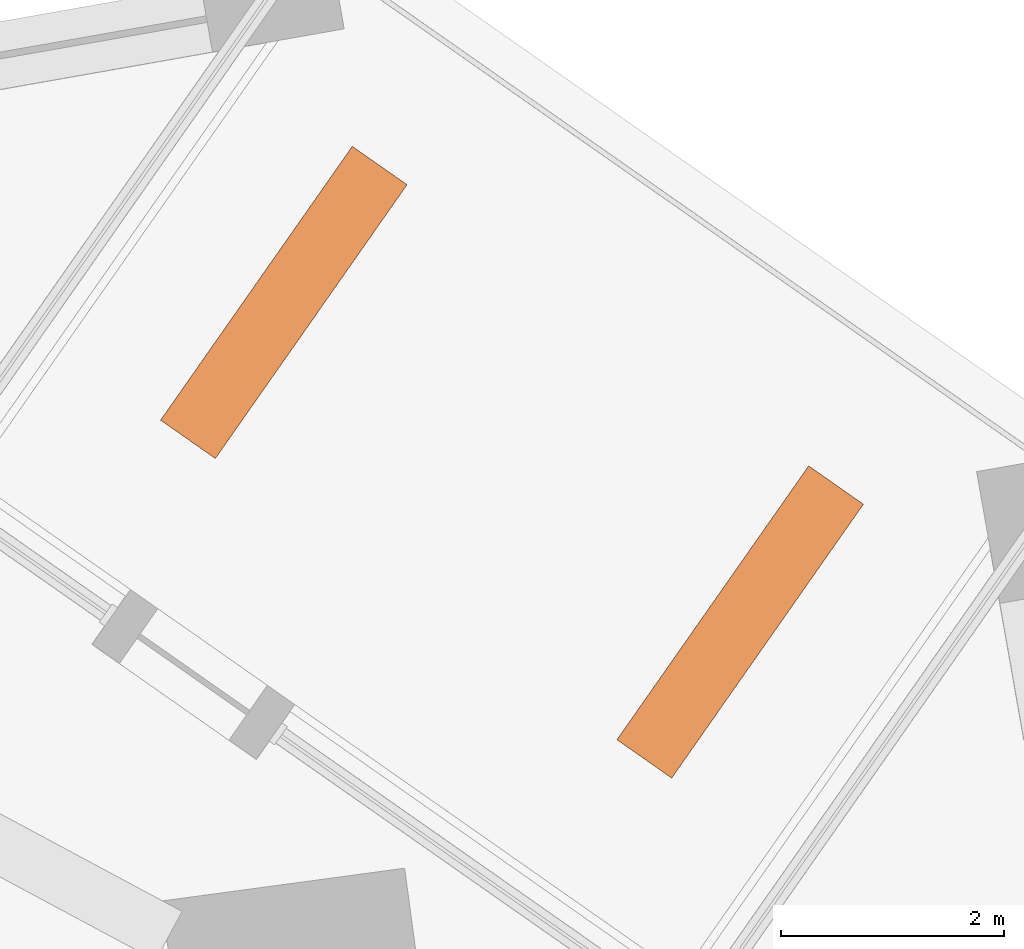
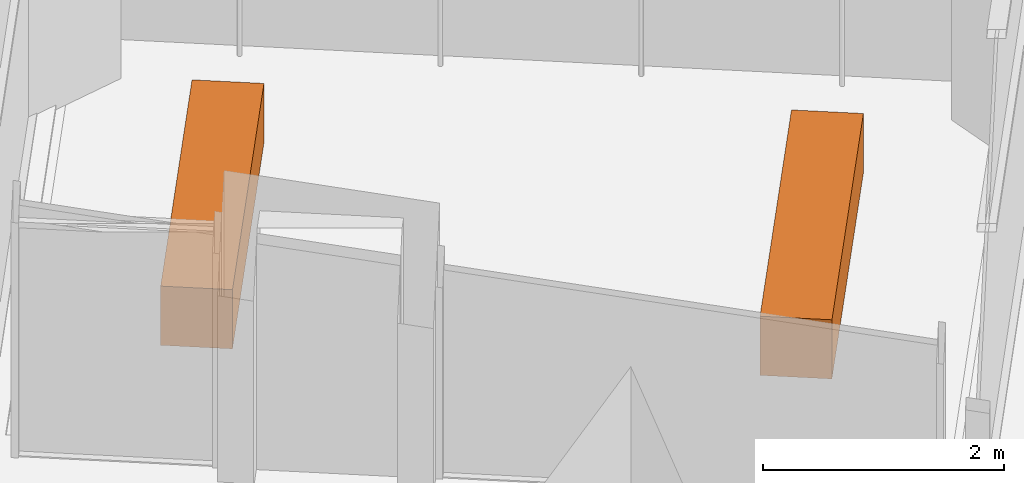
# One storey, part 10 of 10: 2 proxies.
"""IFC4 building model written with IfcOpenShell, lengths in metres."""

from ifc_helpers import new_model, si_unit, direction, frame, origin, origin_2d, place, context, subcontext, project, spatial, rectangle, extrude, element, save


model = new_model("IFC4")

# Units and contexts
model_context = context("Model", 3, precision=1e-05, world=origin(), true_north=direction((0.0, 1.0)))
body_context = subcontext(model_context, "Body", "Model", "MODEL_VIEW")
ifc_project = project(units=[si_unit("LENGTHUNIT", "METRE"), si_unit("AREAUNIT", "SQUARE_METRE"), si_unit("VOLUMEUNIT", "CUBIC_METRE"), si_unit("PLANEANGLEUNIT", "RADIAN"), si_unit("MASSUNIT", "GRAM", prefix="KILO")], contexts=[model_context])

# Site, building, storey
site_placement = place(None, origin())
site = spatial("IfcSite", under=ifc_project, at=site_placement, CompositionType="ELEMENT")
building_placement = place(site_placement, origin())
building = spatial("IfcBuilding", under=site, at=building_placement, Name="Dilmun Exchange Tower", CompositionType="ELEMENT")
storey_placement = place(building_placement, frame((0.0, 0.0, 59.699951171875)))
storey = spatial("IfcBuildingStorey", under=building, at=storey_placement, Name="L13", CompositionType="ELEMENT", Elevation=59.699951171875)

# Proxies
for number, where, z_axis, x_axis, name in (
    (1, (22.57666015625, 27.88427734375, 0.0), (0.0, 0.0, 1.0), (0.573576436351, 0.819152044289, 0.0), "PLANTER Desert shrub L13.1"),
    (2, (18.48095703125, 30.752197265625, 0.0), (0.0, 0.0, 1.0), (0.573576436351, 0.819152044289, 0.0), "PLANTER Desert shrub L13.2"),
):
    element("IfcBuildingElementProxy", number, at=place(storey_placement, frame(where, z_axis=z_axis, x_axis=x_axis)), inside=storey, Name=name, ObjectType="PLANTER", PredefinedType="USERDEFINED", context=body_context, shape_type="SweptSolid", body=[
        extrude(rectangle(XDim=3.0, YDim=0.60009765625, at=origin_2d()), origin(), (0.0, 0.0, 1.0), 0.60009765625),
    ])

save(model, "model.ifc")
